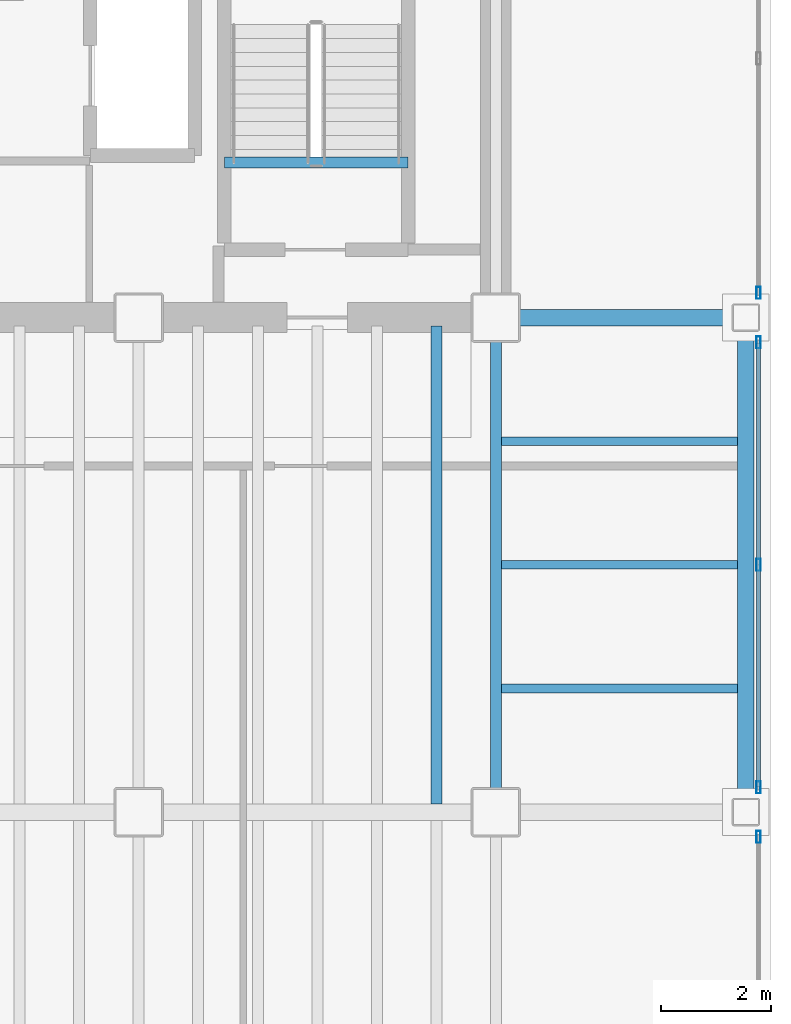
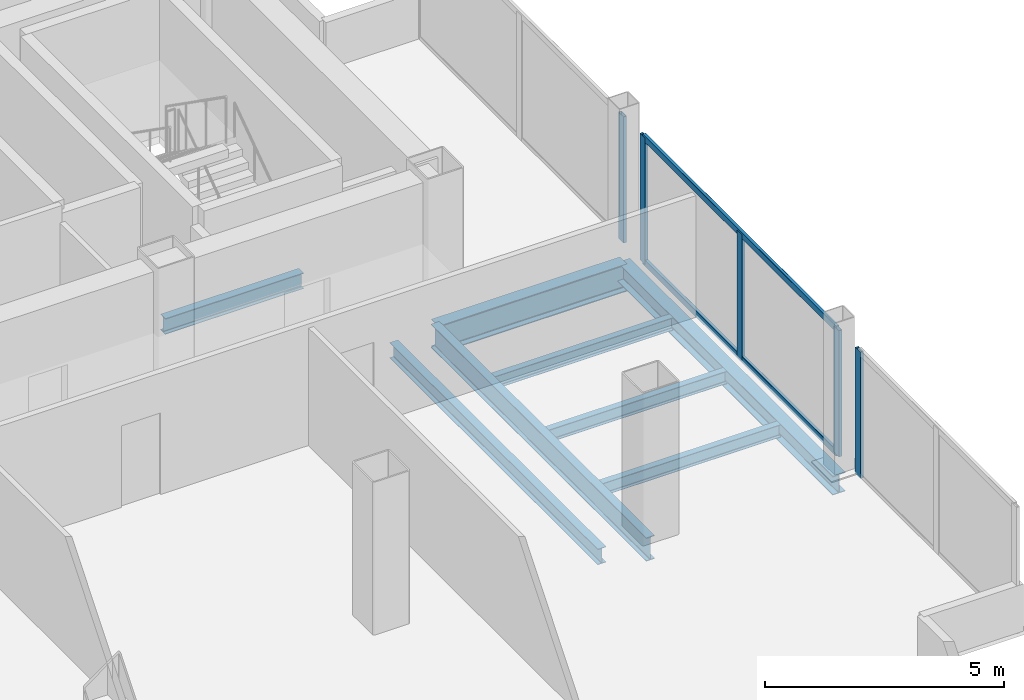
# One storey, part 15 of 20: 8 beams, 7 members, 3 elements without a shape of their own.
"""IFC4 building model written with IfcOpenShell, lengths in metres."""

from ifc_helpers import new_model, si_unit, direction, frame, origin, origin_2d, place, context, subcontext, project, spatial, hollow_rectangle, i_section, extrude, material, material_profile, profile_set, type_object, element, aggregate, save


model = new_model("IFC4")

# Units and contexts
model_context = context("Model", 3, precision=1e-05, world=origin(), true_north=direction((0.0, 1.0)))
body_context = subcontext(model_context, "Body", "Model", "MODEL_VIEW")
ifc_project = project(units=[si_unit("LENGTHUNIT", "METRE"), si_unit("AREAUNIT", "SQUARE_METRE"), si_unit("VOLUMEUNIT", "CUBIC_METRE"), si_unit("PLANEANGLEUNIT", "RADIAN"), si_unit("MASSUNIT", "GRAM", prefix="KILO")], contexts=[model_context])

# Site, building, storey
site_placement = place(None, origin())
site = spatial("IfcSite", under=ifc_project, at=site_placement, CompositionType="ELEMENT")
building_placement = place(site_placement, origin())
building = spatial("IfcBuilding", under=site, at=building_placement, Name="Noeulbin Bourse Tower", CompositionType="ELEMENT")
storey_placement = place(building_placement, frame((0.0, 0.0, 122.699951171875)))
storey = spatial("IfcBuildingStorey", under=building, at=storey_placement, Name="L30", CompositionType="ELEMENT", Elevation=122.699951171875)

# Beams
ifc_material_1 = material(Name="Steel S355", Category="steel")
ifc_material_profile_1 = material_profile(ifc_material_1, i_section(OverallWidth=0.199951171875, OverallDepth=0.60009765625, WebThickness=0.010986328125, FlangeThickness=0.01708984375, FilletRadius=0.02197265625, at=origin_2d()), Name="H-600x200x11x17", Category="LoadBearing")
ifc_profile_set_1 = profile_set([ifc_material_profile_1], Name="Steel S355")
beam_type_1 = type_object("IfcBeamType", Name="BM-GRD-600", PredefinedType="USERDEFINED", material=ifc_profile_set_1)
beam_1_placement = place(storey_placement, frame((44.0, 20.0, -0.47998046875), z_axis=(0.0, 1.0, 0.0), x_axis=(-1.0, 0.0, 0.0)))
element("IfcBeam", 1, at=beam_1_placement, inside=storey, type_object=beam_type_1, Name="Tower Primary Girder NS L30-5.2", ObjectType="GIRDER", PredefinedType="USERDEFINED", context=body_context, shape_type="SweptSolid", body=[
    extrude(i_section(OverallWidth=0.199951171875, OverallDepth=0.60009765625, WebThickness=0.010986328125, FlangeThickness=0.01708984375, FilletRadius=0.02197265625, at=origin_2d()), origin(), (0.0, 0.0, 1.0), 9.0),
])
ifc_material_profile_2 = material_profile(ifc_material_1, i_section(OverallWidth=0.300048828125, OverallDepth=0.699951171875, WebThickness=0.012939453125, FlangeThickness=0.02392578125, FilletRadius=0.02392578125, at=origin_2d()), Name="H-700x300x13x24", Category="LoadBearing")
ifc_profile_set_2 = profile_set([ifc_material_profile_2], Name="Steel S355")
beam_type_2 = type_object("IfcBeamType", Name="BM-GRD-700", PredefinedType="USERDEFINED", material=ifc_profile_set_2)
beam_2_placement = place(storey_placement, frame((44.0, 29.0, -0.530029296875), z_axis=(1.0, 0.0, 0.0), x_axis=(0.0, 1.0, 0.0)))
element("IfcBeam", 2, at=beam_2_placement, inside=storey, type_object=beam_type_2, Name="Tower Primary Girder EW L30-2.6", ObjectType="GIRDER", PredefinedType="USERDEFINED", context=body_context, shape_type="SweptSolid", body=[
    extrude(i_section(OverallWidth=0.300048828125, OverallDepth=0.699951171875, WebThickness=0.012939453125, FlangeThickness=0.02392578125, FilletRadius=0.02392578125, at=origin_2d()), origin(), (0.0, 0.0, 1.0), 4.550048828125),
])
ifc_material_profile_3 = material_profile(ifc_material_1, i_section(OverallWidth=0.159912109375, OverallDepth=0.320068359375, WebThickness=0.006591796875, FlangeThickness=0.010009765625, FilletRadius=0.012939453125, at=origin_2d()), Name="H-320x160x6.5x10", Category="LoadBearing")
ifc_profile_set_3 = profile_set([ifc_material_profile_3], Name="Steel S355")
beam_type_3 = type_object("IfcBeamType", Name="BM-JST-320", PredefinedType="JOIST", material=ifc_profile_set_3)
for number, where, z_axis, x_axis, name in (
    (3, (44.10009765625, 22.25, -0.33984375), (1.0, 0.0, 0.0), (0.0, 1.0, 0.0), "Wing Composite Joist L30-E50"),
    (4, (44.10009765625, 24.5, -0.33984375), (1.0, 0.0, 0.0), (0.0, 1.0, 0.0), "Wing Composite Joist L30-E51"),
    (5, (44.10009765625, 26.75, -0.33984375), (1.0, 0.0, 0.0), (0.0, 1.0, 0.0), "Wing Composite Joist L30-E52"),
):
    element("IfcBeam", number, at=place(storey_placement, frame(where, z_axis=z_axis, x_axis=x_axis)), inside=storey, type_object=beam_type_3, Name=name, PredefinedType="JOIST", context=body_context, shape_type="SweptSolid", body=[
        extrude(i_section(OverallWidth=0.159912109375, OverallDepth=0.320068359375, WebThickness=0.006591796875, FlangeThickness=0.010009765625, FilletRadius=0.012939453125, at=origin_2d()), origin(), (0.0, 0.0, 1.0), 4.2998046875),
    ])
ifc_material_profile_4 = material_profile(ifc_material_1, i_section(OverallWidth=0.199951171875, OverallDepth=0.39990234375, WebThickness=0.008056640625, FlangeThickness=0.012939453125, FilletRadius=0.01611328125, at=origin_2d()), Name="H-400x200x8x13", Category="LoadBearing")
ifc_profile_set_4 = profile_set([ifc_material_profile_4], Name="Steel S355")
beam_type_4 = type_object("IfcBeamType", Name="BM-SEC-400", PredefinedType="BEAM", material=ifc_profile_set_4)
beam_3_placement = place(storey_placement, frame((42.916748046875, 20.14990234375, -0.3798828125), z_axis=(0.0, 1.0, 0.0), x_axis=(-1.0, 0.0, 0.0)))
element("IfcBeam", 6, at=beam_3_placement, inside=storey, type_object=beam_type_4, Name="Tower Composite Joist L30-46", PredefinedType="BEAM", context=body_context, shape_type="SweptSolid", body=[
    extrude(i_section(OverallWidth=0.199951171875, OverallDepth=0.39990234375, WebThickness=0.008056640625, FlangeThickness=0.012939453125, FilletRadius=0.01611328125, at=origin_2d()), origin(), (0.0, 0.0, 1.0), 8.7001953125),
])
beam_4_placement = place(storey_placement, frame((39.06005859375, 31.820068359375, -0.199951171875), z_axis=(1.0, 0.0, 0.0), x_axis=(0.0, 1.0, 0.0)))
element("IfcBeam", 7, at=beam_4_placement, inside=storey, type_object=beam_type_4, Name="Stair Threshold Trimmer Beam ST2-L30", PredefinedType="BEAM", context=body_context, shape_type="SweptSolid", body=[
    extrude(i_section(OverallWidth=0.199951171875, OverallDepth=0.39990234375, WebThickness=0.008056640625, FlangeThickness=0.012939453125, FilletRadius=0.01611328125, at=origin_2d()), origin(), (0.0, 0.0, 1.0), 3.33984375),
])
ifc_material_profile_5 = material_profile(ifc_material_1, i_section(OverallWidth=0.300048828125, OverallDepth=0.488037109375, WebThickness=0.010986328125, FlangeThickness=0.01806640625, FilletRadius=0.02197265625, at=origin_2d()), Name="H-488x300x11x18", Category="LoadBearing")
ifc_profile_set_5 = profile_set([ifc_material_profile_5], Name="Steel S355")
beam_type_5 = type_object("IfcBeamType", Name="BM-SPN-488", PredefinedType="SPANDREL", material=ifc_profile_set_5)
beam_5_placement = place(storey_placement, frame((48.550048828125, 20.0, -0.424072265625), z_axis=(0.0, 1.0, 0.0), x_axis=(-1.0, 0.0, 0.0)))
element("IfcBeam", 8, at=beam_5_placement, inside=storey, type_object=beam_type_5, Name="East Spandrel L30-1", PredefinedType="SPANDREL", context=body_context, shape_type="SweptSolid", body=[
    extrude(i_section(OverallWidth=0.300048828125, OverallDepth=0.488037109375, WebThickness=0.010986328125, FlangeThickness=0.01806640625, FilletRadius=0.02197265625, at=origin_2d()), origin(), (0.0, 0.0, 1.0), 9.0),
])

# Curtain wall, member
ifc_material_2 = material(Name="Dark Tinted Triple Glazing", Category="glass")
curtain_wall_type = type_object("IfcCurtainWallType", Name="CW-SYS-3", PredefinedType="NOTDEFINED", material=ifc_material_2)
curtain_wall_1_placement = place(storey_placement, origin())
curtain_wall_1 = element("IfcCurtainWall", 9, at=curtain_wall_1_placement, inside=storey, type_object=curtain_wall_type, Name="Unitised Curtain Wall CW-L30-E-S1", PredefinedType="NOTDEFINED")
ifc_material_3 = material(Name="Anodised Aluminium 6063-T6", Category="aluminium")
ifc_material_profile_6 = material_profile(ifc_material_3, hollow_rectangle(XDim=0.074951171875, YDim=0.219970703125, WallThickness=0.0048828125, InnerFilletRadius=0.00244140625, OuterFilletRadius=0.0048828125, at=origin_2d()), Name="ALU-MULL-75x220x5", Category="LoadBearing")
ifc_profile_set_6 = profile_set([ifc_material_profile_6], Name="Anodised Aluminium 6063-T6")
member_type_1 = type_object("IfcMemberType", Name="CW-SYS-3-MUL", PredefinedType="MULLION", material=ifc_profile_set_6)
member_1_placement = place(storey_placement, frame((48.780029296875, 19.550048828125, -0.02001953125), z_axis=(0.0, 0.0, 1.0), x_axis=(1.0, 0.0, 0.0)))
member_1 = element("IfcMember", 10, at=member_1_placement, type_object=member_type_1, Name="Curtain Wall Mullion CW-L30-E-S1-M02", PredefinedType="MULLION", context=body_context, shape_type="SweptSolid", body=[
    extrude(hollow_rectangle(XDim=0.074951171875, YDim=0.219970703125, WallThickness=0.0048828125, InnerFilletRadius=0.00244140625, OuterFilletRadius=0.0048828125, at=origin_2d()), origin(), (0.0, 0.0, 1.0), 3.219970703125),
])
aggregate(curtain_wall_1, [member_1])

# Curtain wall, members
curtain_wall_2_placement = place(storey_placement, origin())
curtain_wall_2 = element("IfcCurtainWall", 11, at=curtain_wall_2_placement, inside=storey, type_object=curtain_wall_type, Name="Unitised Curtain Wall CW-L30-E-S2", PredefinedType="NOTDEFINED")
member_2_placement = place(storey_placement, frame((48.780029296875, 20.449951171875, -0.02001953125), z_axis=(0.0, 0.0, 1.0), x_axis=(1.0, 0.0, 0.0)))
member_2 = element("IfcMember", 12, at=member_2_placement, type_object=member_type_1, Name="Curtain Wall Mullion CW-L30-E-S2-M00", PredefinedType="MULLION", context=body_context, shape_type="SweptSolid", body=[
    extrude(hollow_rectangle(XDim=0.074951171875, YDim=0.219970703125, WallThickness=0.0048828125, InnerFilletRadius=0.00244140625, OuterFilletRadius=0.0048828125, at=origin_2d()), origin(), (0.0, 0.0, 1.0), 3.219970703125),
])
member_3_placement = place(storey_placement, frame((48.780029296875, 24.5, -0.02001953125), z_axis=(0.0, 0.0, 1.0), x_axis=(1.0, 0.0, 0.0)))
member_3 = element("IfcMember", 13, at=member_3_placement, type_object=member_type_1, Name="Curtain Wall Mullion CW-L30-E-S2-M01", PredefinedType="MULLION", context=body_context, shape_type="SweptSolid", body=[
    extrude(hollow_rectangle(XDim=0.074951171875, YDim=0.219970703125, WallThickness=0.0048828125, InnerFilletRadius=0.00244140625, OuterFilletRadius=0.0048828125, at=origin_2d()), origin(), (0.0, 0.0, 1.0), 3.219970703125),
])
member_4_placement = place(storey_placement, frame((48.780029296875, 28.550048828125, -0.02001953125), z_axis=(0.0, 0.0, 1.0), x_axis=(1.0, 0.0, 0.0)))
member_4 = element("IfcMember", 14, at=member_4_placement, type_object=member_type_1, Name="Curtain Wall Mullion CW-L30-E-S2-M02", PredefinedType="MULLION", context=body_context, shape_type="SweptSolid", body=[
    extrude(hollow_rectangle(XDim=0.074951171875, YDim=0.219970703125, WallThickness=0.0048828125, InnerFilletRadius=0.00244140625, OuterFilletRadius=0.0048828125, at=origin_2d()), origin(), (0.0, 0.0, 1.0), 3.219970703125),
])

# Curtain wall, member
curtain_wall_3_placement = place(storey_placement, origin())
curtain_wall_3 = element("IfcCurtainWall", 15, at=curtain_wall_3_placement, inside=storey, type_object=curtain_wall_type, Name="Unitised Curtain Wall CW-L30-E-S3", PredefinedType="NOTDEFINED")
member_5_placement = place(storey_placement, frame((48.780029296875, 29.449951171875, -0.02001953125), z_axis=(0.0, 0.0, 1.0), x_axis=(1.0, 0.0, 0.0)))
member_5 = element("IfcMember", 16, at=member_5_placement, type_object=member_type_1, Name="Curtain Wall Mullion CW-L30-E-S3-M00", PredefinedType="MULLION", context=body_context, shape_type="SweptSolid", body=[
    extrude(hollow_rectangle(XDim=0.074951171875, YDim=0.219970703125, WallThickness=0.0048828125, InnerFilletRadius=0.00244140625, OuterFilletRadius=0.0048828125, at=origin_2d()), origin(), (0.0, 0.0, 1.0), 3.219970703125),
])
aggregate(curtain_wall_3, [member_5])

# Member
ifc_material_profile_7 = material_profile(ifc_material_3, hollow_rectangle(XDim=0.074951171875, YDim=0.159912109375, WallThickness=0.0048828125, InnerFilletRadius=0.00244140625, OuterFilletRadius=0.0048828125, at=origin_2d()), Name="ALU-TRAN-75x160x5", Category="LoadBearing")
ifc_profile_set_7 = profile_set([ifc_material_profile_7], Name="Anodised Aluminium 6063-T6")
member_type_2 = type_object("IfcMemberType", Name="CW-SYS-3-TRN", PredefinedType="USERDEFINED", material=ifc_profile_set_7)
member_6_placement = place(storey_placement, frame((48.780029296875, 20.4599609375, 0.010009765625), z_axis=(0.0, 1.0, 0.0), x_axis=(-1.0, 0.0, 0.0)))
member_6 = element("IfcMember", 17, at=member_6_placement, type_object=member_type_2, Name="Curtain Wall Transom CW-L30-E-S2-T00", ObjectType="TRANSOM", PredefinedType="USERDEFINED", context=body_context, shape_type="SweptSolid", body=[
    extrude(hollow_rectangle(XDim=0.074951171875, YDim=0.159912109375, WallThickness=0.0048828125, InnerFilletRadius=0.00244140625, OuterFilletRadius=0.0048828125, at=origin_2d()), origin(), (0.0, 0.0, 1.0), 8.080078125),
])

member_7_placement = place(storey_placement, frame((48.780029296875, 20.4599609375, 3.170166015625), z_axis=(0.0, 1.0, 0.0), x_axis=(-1.0, 0.0, 0.0)))
member_7 = element("IfcMember", 18, at=member_7_placement, type_object=member_type_2, Name="Curtain Wall Transom CW-L30-E-S2-T01", ObjectType="TRANSOM", PredefinedType="USERDEFINED", context=body_context, shape_type="SweptSolid", body=[
    extrude(hollow_rectangle(XDim=0.074951171875, YDim=0.159912109375, WallThickness=0.0048828125, InnerFilletRadius=0.00244140625, OuterFilletRadius=0.0048828125, at=origin_2d()), origin(), (0.0, 0.0, 1.0), 8.080078125),
])

aggregate(curtain_wall_2, [member_2, member_3, member_4, member_6, member_7])

save(model, "model.ifc")
